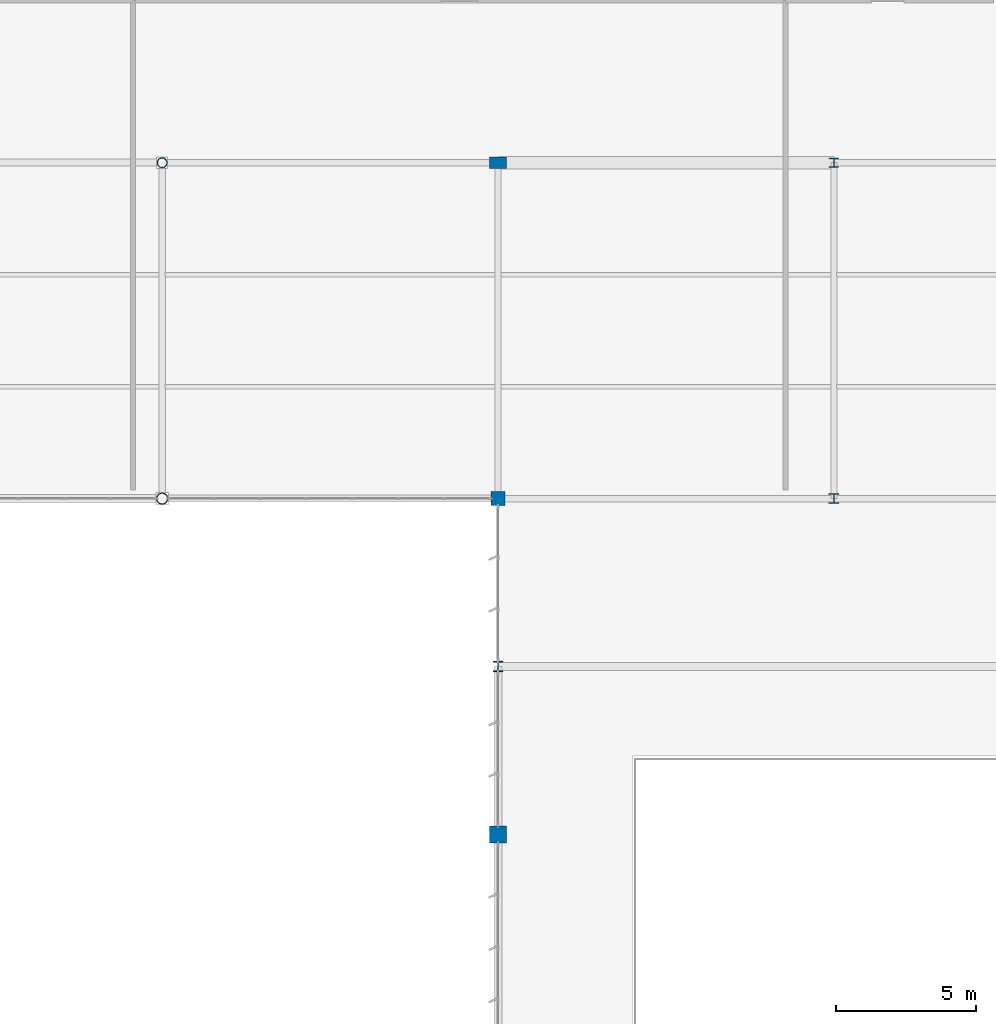
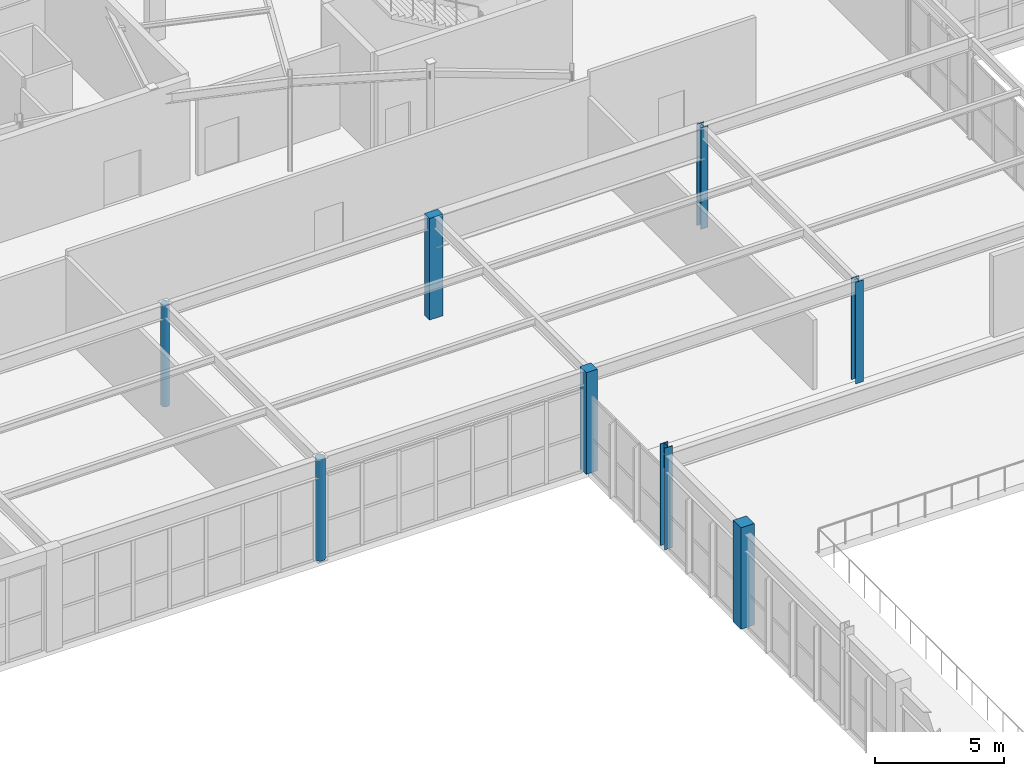
# One storey, part 24 of 186: 8 columns.
"""IFC4 building model written with IfcOpenShell, lengths in metres."""

from ifc_helpers import new_model, si_unit, direction, frame, origin, origin_2d, place, context, subcontext, project, spatial, rectangle, hollow_circle, i_section, extrude, material, material_profile, profile_set, type_object, element, save


model = new_model("IFC4")

# Units and contexts
model_context = context("Model", 3, precision=1e-05, world=origin(), true_north=direction((0.0, 1.0)))
body_context = subcontext(model_context, "Body", "Model", "MODEL_VIEW")
ifc_project = project(units=[si_unit("LENGTHUNIT", "METRE"), si_unit("AREAUNIT", "SQUARE_METRE"), si_unit("VOLUMEUNIT", "CUBIC_METRE"), si_unit("PLANEANGLEUNIT", "RADIAN"), si_unit("MASSUNIT", "GRAM", prefix="KILO")], contexts=[model_context])

# Site, building, storey
site_placement = place(None, origin())
site = spatial("IfcSite", under=ifc_project, at=site_placement, CompositionType="ELEMENT")
building_placement = place(site_placement, origin())
building = spatial("IfcBuilding", under=site, at=building_placement, Name="Tarnwether General Hospital", CompositionType="ELEMENT")
storey_placement = place(building_placement, frame((0.0, 0.0, 9.60009765625)))
storey = spatial("IfcBuildingStorey", under=building, at=storey_placement, Name="L02", CompositionType="ELEMENT", Elevation=9.60009765625)

# Columns
ifc_material_1 = material(Name="Steel Grade 350 (350 MPa)", Category="steel")
ifc_material_profile_1 = material_profile(ifc_material_1, i_section(OverallWidth=0.35009765625, OverallDepth=0.360107421875, WebThickness=0.01611328125, FlangeThickness=0.028076171875, at=origin_2d()), Name="350WC230")
ifc_profile_set_1 = profile_set([ifc_material_profile_1], Name="Steel Grade 350 (350 MPa)")
column_type_1 = type_object("IfcColumnType", Name="COL-03", PredefinedType="COLUMN", material=ifc_profile_set_1)
column_1_placement = place(storey_placement, frame((108.0, 75.60009765625, 0.0), z_axis=(0.0, 0.0, 1.0), x_axis=(1.0, 0.0, 0.0)))
element("IfcColumn", 1, at=column_1_placement, inside=storey, type_object=column_type_1, Name="Column COLG-L02-10800_7560", PredefinedType="COLUMN", context=body_context, shape_type="SweptSolid", body=[
    extrude(i_section(OverallWidth=0.35009765625, OverallDepth=0.360107421875, WebThickness=0.01611328125, FlangeThickness=0.028076171875, at=origin_2d()), origin(), (0.0, 0.0, 1.0), 4.7998046875),
])
ifc_material_2 = material(Name="Steel Grade 350 (350 MPa)", Category="steel")
ifc_material_profile_2 = material_profile(ifc_material_2, i_section(OverallWidth=0.35009765625, OverallDepth=0.35009765625, WebThickness=0.013916015625, FlangeThickness=0.02392578125, at=origin_2d()), Name="350WC197")
ifc_profile_set_2 = profile_set([ifc_material_profile_2], Name="Steel Grade 350 (350 MPa)")
column_type_2 = type_object("IfcColumnType", Name="COL-04", PredefinedType="COLUMN", material=ifc_profile_set_2)
column_2_placement = place(storey_placement, frame((120.0, 81.60009765625, 0.0), z_axis=(0.0, 0.0, 1.0), x_axis=(1.0, 0.0, 0.0)))
element("IfcColumn", 2, at=column_2_placement, inside=storey, type_object=column_type_2, Name="Column COLG-L02-12000_8160", PredefinedType="COLUMN", context=body_context, shape_type="SweptSolid", body=[
    extrude(i_section(OverallWidth=0.35009765625, OverallDepth=0.35009765625, WebThickness=0.013916015625, FlangeThickness=0.02392578125, at=origin_2d()), origin(), (0.0, 0.0, 1.0), 4.7998046875),
])
ifc_material_3 = material(Name="Steel Grade 350 (350 MPa)", Category="steel")
ifc_material_profile_3 = material_profile(ifc_material_3, i_section(OverallWidth=0.31103515625, OverallDepth=0.326904296875, WebThickness=0.015625, FlangeThickness=0.02490234375, at=origin_2d()), Name="310UC158")
ifc_profile_set_3 = profile_set([ifc_material_profile_3], Name="Steel Grade 350 (350 MPa)")
column_type_3 = type_object("IfcColumnType", Name="COL-05", PredefinedType="COLUMN", material=ifc_profile_set_3)
column_3_placement = place(storey_placement, frame((120.0, 93.60009765625, 0.0), z_axis=(0.0, 0.0, 1.0), x_axis=(1.0, 0.0, 0.0)))
element("IfcColumn", 3, at=column_3_placement, inside=storey, type_object=column_type_3, Name="Column COLG-L02-12000_9360", PredefinedType="COLUMN", context=body_context, shape_type="SweptSolid", body=[
    extrude(i_section(OverallWidth=0.31103515625, OverallDepth=0.326904296875, WebThickness=0.015625, FlangeThickness=0.02490234375, at=origin_2d()), origin(), (0.0, 0.0, 1.0), 4.7998046875),
])
ifc_material_4 = material(Name="Steel Grade C350L0 (350 MPa)", Category="steel")
ifc_material_profile_4 = material_profile(ifc_material_4, hollow_circle(Radius=0.203125, WallThickness=0.01611328125, at=origin_2d()), Name="CHS406.4x16.0")
ifc_profile_set_4 = profile_set([ifc_material_profile_4], Name="Steel Grade C350L0 (350 MPa)")
column_type_4 = type_object("IfcColumnType", Name="COL-10", PredefinedType="COLUMN", material=ifc_profile_set_4)
column_4_placement = place(storey_placement, frame((96.0, 81.60009765625, 0.0), z_axis=(0.0, 0.0, 1.0), x_axis=(1.0, 0.0, 0.0)))
element("IfcColumn", 4, at=column_4_placement, inside=storey, type_object=column_type_4, Name="Column COLG-L02-9600_8160", PredefinedType="COLUMN", context=body_context, shape_type="SweptSolid", body=[
    extrude(hollow_circle(Radius=0.203125, WallThickness=0.01611328125, at=origin_2d()), origin(), (0.0, 0.0, 1.0), 4.7998046875),
])
ifc_material_5 = material(Name="Steel Grade C350L0 (350 MPa)", Category="steel")
ifc_material_profile_5 = material_profile(ifc_material_5, hollow_circle(Radius=0.177734375, WallThickness=0.0126953125, at=origin_2d()), Name="CHS355.6x12.7")
ifc_profile_set_5 = profile_set([ifc_material_profile_5], Name="Steel Grade C350L0 (350 MPa)")
column_type_5 = type_object("IfcColumnType", Name="COL-11", PredefinedType="COLUMN", material=ifc_profile_set_5)
column_5_placement = place(storey_placement, frame((96.0, 93.60009765625, 0.0), z_axis=(0.0, 0.0, 1.0), x_axis=(1.0, 0.0, 0.0)))
element("IfcColumn", 5, at=column_5_placement, inside=storey, type_object=column_type_5, Name="Column COLG-L02-9600_9360", PredefinedType="COLUMN", context=body_context, shape_type="SweptSolid", body=[
    extrude(hollow_circle(Radius=0.177734375, WallThickness=0.0126953125, at=origin_2d()), origin(), (0.0, 0.0, 1.0), 4.7998046875),
])
ifc_material_6 = material(Name="Concrete 50 MPa", Category="concrete")
ifc_material_profile_6 = material_profile(ifc_material_6, rectangle(XDim=0.60009765625, YDim=0.60009765625, at=origin_2d()), Name="RC-COL-600x600")
ifc_profile_set_6 = profile_set([ifc_material_profile_6], Name="Concrete 50 MPa")
column_type_6 = type_object("IfcColumnType", Name="COL-19", PredefinedType="COLUMN", material=ifc_profile_set_6)
column_6_placement = place(storey_placement, frame((108.0, 69.60009765625, 0.0), z_axis=(0.0, 0.0, 1.0), x_axis=(0.0, 1.0, 0.0)))
element("IfcColumn", 6, at=column_6_placement, inside=storey, type_object=column_type_6, Name="Column COLG-L02-10800_6960", PredefinedType="COLUMN", context=body_context, shape_type="SweptSolid", body=[
    extrude(rectangle(XDim=0.60009765625, YDim=0.60009765625, at=origin_2d()), origin(), (0.0, 0.0, 1.0), 4.7998046875),
])
ifc_material_7 = material(Name="Concrete 50 MPa", Category="concrete")
ifc_material_profile_7 = material_profile(ifc_material_7, rectangle(XDim=0.5, YDim=0.5, at=origin_2d()), Name="RC-COL-500x500")
ifc_profile_set_7 = profile_set([ifc_material_profile_7], Name="Concrete 50 MPa")
column_type_7 = type_object("IfcColumnType", Name="COL-20", PredefinedType="COLUMN", material=ifc_profile_set_7)
column_7_placement = place(storey_placement, frame((108.0, 81.60009765625, 0.0), z_axis=(0.0, 0.0, 1.0), x_axis=(0.0, 1.0, 0.0)))
element("IfcColumn", 7, at=column_7_placement, inside=storey, type_object=column_type_7, Name="Column COLG-L02-10800_8160", PredefinedType="COLUMN", context=body_context, shape_type="SweptSolid", body=[
    extrude(rectangle(XDim=0.5, YDim=0.5, at=origin_2d()), origin(), (0.0, 0.0, 1.0), 4.7998046875),
])
ifc_material_8 = material(Name="Concrete 50 MPa", Category="concrete")
ifc_material_profile_8 = material_profile(ifc_material_8, rectangle(XDim=0.39990234375, YDim=0.60009765625, at=origin_2d()), Name="RC-PIL-400x600")
ifc_profile_set_8 = profile_set([ifc_material_profile_8], Name="Concrete 50 MPa")
column_type_8 = type_object("IfcColumnType", Name="COL-21", PredefinedType="PILASTER", material=ifc_profile_set_8)
column_8_placement = place(storey_placement, frame((108.0, 93.60009765625, 0.0), z_axis=(0.0, 0.0, 1.0), x_axis=(0.0, 1.0, 0.0)))
element("IfcColumn", 8, at=column_8_placement, inside=storey, type_object=column_type_8, Name="Column COLG-L02-10800_9360", PredefinedType="PILASTER", context=body_context, shape_type="SweptSolid", body=[
    extrude(rectangle(XDim=0.39990234375, YDim=0.60009765625, at=origin_2d()), origin(), (0.0, 0.0, 1.0), 4.7998046875),
])

save(model, "model.ifc")
